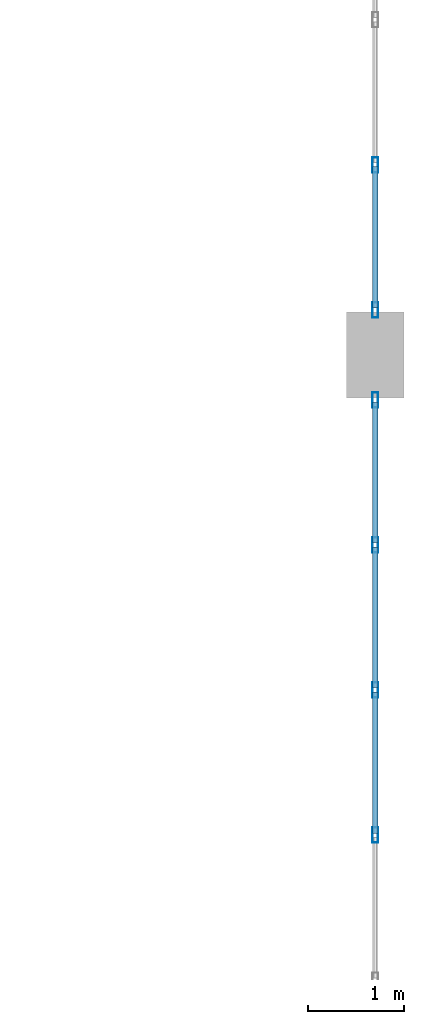
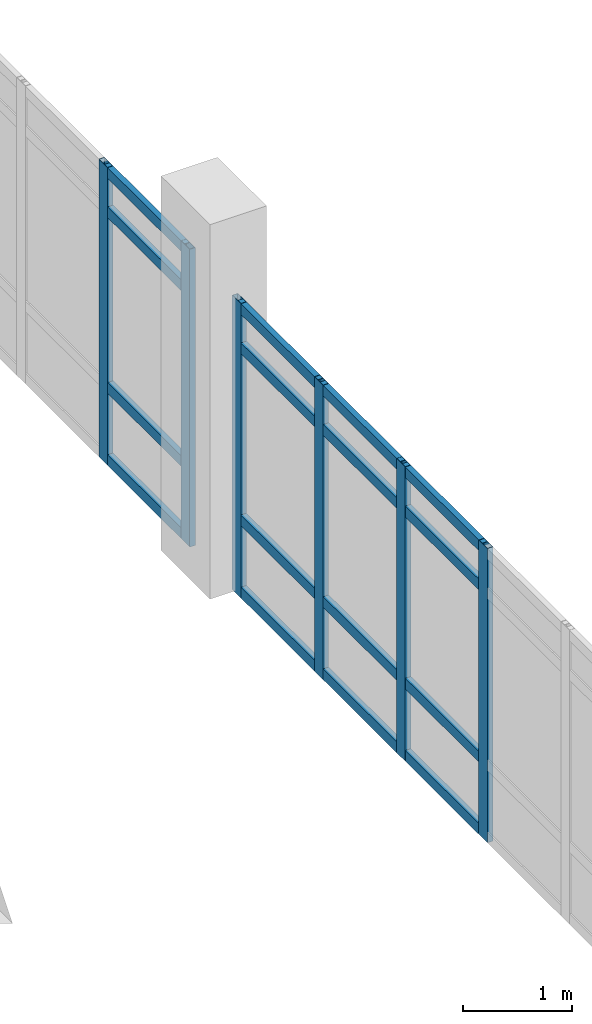
# One storey, part 75 of 111: 22 members, 2 elements without a shape of their own.
"""IFC4 building model written with IfcOpenShell, lengths in metres."""

from ifc_helpers import new_model, si_unit, direction, frame, origin, origin_2d, place, context, subcontext, project, spatial, hollow_rectangle, extrude, material, layer, layer_set, material_profile, profile_set, type_object, element, aggregate, save


model = new_model("IFC4")

# Units and contexts
model_context = context("Model", 3, precision=1e-05, world=origin(), true_north=direction((0.0, 1.0)))
body_context = subcontext(model_context, "Body", "Model", "MODEL_VIEW")
ifc_project = project(units=[si_unit("LENGTHUNIT", "METRE"), si_unit("AREAUNIT", "SQUARE_METRE"), si_unit("VOLUMEUNIT", "CUBIC_METRE"), si_unit("PLANEANGLEUNIT", "RADIAN"), si_unit("MASSUNIT", "GRAM", prefix="KILO")], contexts=[model_context])

# Site, building, storey
site_placement = place(None, origin())
site = spatial("IfcSite", under=ifc_project, at=site_placement, CompositionType="ELEMENT")
building_placement = place(site_placement, origin())
building = spatial("IfcBuilding", under=site, at=building_placement, Name="Mersad Railyard Sports Hall", CompositionType="ELEMENT")
storey_placement = place(building_placement, frame((0.0, 0.0, 9.0)))
storey = spatial("IfcBuildingStorey", under=building, at=storey_placement, Name="L02", CompositionType="ELEMENT", Elevation=9.0)

# Curtain wall, members
ifc_material = material(Name="Aluminium 6063-T6", Category="aluminium")
ifc_layer_1 = layer(ifc_material, 0.159912109375)
ifc_layer_set_1 = layer_set([ifc_layer_1], Name="Aluminium 6063-T6")
curtain_wall_type_1 = type_object("IfcCurtainWallType", Name="ARC-CW-CW17", PredefinedType="USERDEFINED", material=ifc_layer_set_1)
curtain_wall_1_placement = place(storey_placement, origin())
curtain_wall_1 = element("IfcCurtainWall", 1, at=curtain_wall_1_placement, inside=storey, type_object=curtain_wall_type_1, Name="Curtain wall CW17-0049", ObjectType="CURTAIN WALL", PredefinedType="USERDEFINED")
ifc_material_profile_1 = material_profile(ifc_material, hollow_rectangle(XDim=0.06005859375, YDim=0.159912109375, WallThickness=0.00390625, at=origin_2d()), Name="AL MULLION 60x160x4")
ifc_profile_set_1 = profile_set([ifc_material_profile_1], Name="Aluminium 6063-T6")
member_type_1 = type_object("IfcMemberType", Name="ARC-CW-MUL01", PredefinedType="MULLION", material=ifc_profile_set_1)
member_1_placement = place(storey_placement, frame((179.0, 33.030029296875, -0.02001953125), z_axis=(0.0, 0.0, 1.0), x_axis=(1.0, 0.0, 0.0)))
member_1 = element("IfcMember", 2, at=member_1_placement, type_object=member_type_1, Name="CW17 Mullion 1", PredefinedType="MULLION", context=body_context, shape_type="SweptSolid", body=[
    extrude(hollow_rectangle(XDim=0.06005859375, YDim=0.159912109375, WallThickness=0.00390625, at=origin_2d()), origin(), (0.0, 0.0, 1.0), 3.300048828125),
])
member_2_placement = place(storey_placement, frame((179.0, 31.52001953125, -0.02001953125), z_axis=(0.0, 0.0, 1.0), x_axis=(1.0, 0.0, 0.0)))
member_2 = element("IfcMember", 3, at=member_2_placement, type_object=member_type_1, Name="CW17 Mullion 2", PredefinedType="MULLION", context=body_context, shape_type="SweptSolid", body=[
    extrude(hollow_rectangle(XDim=0.06005859375, YDim=0.159912109375, WallThickness=0.00390625, at=origin_2d()), origin(), (0.0, 0.0, 1.0), 3.300048828125),
])
member_3_placement = place(storey_placement, frame((179.0, 30.010009765625, -0.02001953125), z_axis=(0.0, 0.0, 1.0), x_axis=(1.0, 0.0, 0.0)))
member_3 = element("IfcMember", 4, at=member_3_placement, type_object=member_type_1, Name="CW17 Mullion 3", PredefinedType="MULLION", context=body_context, shape_type="SweptSolid", body=[
    extrude(hollow_rectangle(XDim=0.06005859375, YDim=0.159912109375, WallThickness=0.00390625, at=origin_2d()), origin(), (0.0, 0.0, 1.0), 3.300048828125),
])
member_4_placement = place(storey_placement, frame((179.0, 28.5, -0.02001953125), z_axis=(0.0, 0.0, 1.0), x_axis=(1.0, 0.0, 0.0)))
member_4 = element("IfcMember", 5, at=member_4_placement, type_object=member_type_1, Name="CW17 Mullion 4", PredefinedType="MULLION", context=body_context, shape_type="SweptSolid", body=[
    extrude(hollow_rectangle(XDim=0.06005859375, YDim=0.159912109375, WallThickness=0.00390625, at=origin_2d()), origin(), (0.0, 0.0, 1.0), 3.300048828125),
])

ifc_layer_2 = layer(ifc_material, 0.159912109375)
ifc_layer_set_2 = layer_set([ifc_layer_2], Name="Aluminium 6063-T6")
curtain_wall_type_2 = type_object("IfcCurtainWallType", Name="ARC-CW-CW18", PredefinedType="USERDEFINED", material=ifc_layer_set_2)
curtain_wall_2_placement = place(storey_placement, origin())
curtain_wall_2 = element("IfcCurtainWall", 6, at=curtain_wall_2_placement, inside=storey, type_object=curtain_wall_type_2, Name="Curtain wall CW18-0051", ObjectType="CURTAIN WALL", PredefinedType="USERDEFINED")
member_5_placement = place(storey_placement, frame((179.0, 35.47998046875, -0.02001953125), z_axis=(0.0, 0.0, 1.0), x_axis=(1.0, 0.0, 0.0)))
member_5 = element("IfcMember", 7, at=member_5_placement, type_object=member_type_1, Name="CW18 Mullion 6", PredefinedType="MULLION", context=body_context, shape_type="SweptSolid", body=[
    extrude(hollow_rectangle(XDim=0.06005859375, YDim=0.159912109375, WallThickness=0.00390625, at=origin_2d()), origin(), (0.0, 0.0, 1.0), 3.340087890625),
])
member_6_placement = place(storey_placement, frame((179.0, 33.969970703125, -0.02001953125), z_axis=(0.0, 0.0, 1.0), x_axis=(1.0, 0.0, 0.0)))
member_6 = element("IfcMember", 8, at=member_6_placement, type_object=member_type_1, Name="CW18 Mullion 7", PredefinedType="MULLION", context=body_context, shape_type="SweptSolid", body=[
    extrude(hollow_rectangle(XDim=0.06005859375, YDim=0.159912109375, WallThickness=0.00390625, at=origin_2d()), origin(), (0.0, 0.0, 1.0), 3.340087890625),
])

# Member
ifc_material_profile_2 = material_profile(ifc_material, hollow_rectangle(XDim=0.06005859375, YDim=0.1201171875, WallThickness=0.00390625, at=origin_2d()), Name="AL TRANSOM 60x120x4")
ifc_profile_set_2 = profile_set([ifc_material_profile_2], Name="Aluminium 6063-T6")
member_type_2 = type_object("IfcMemberType", Name="ARC-CW-TRN01", PredefinedType="USERDEFINED", material=ifc_profile_set_2)
member_7_placement = place(storey_placement, frame((179.0, 33.010009765625, 0.0400390625), z_axis=(0.0, -1.0, 0.0), x_axis=(1.0, 0.0, 0.0)))
member_7 = element("IfcMember", 9, at=member_7_placement, type_object=member_type_2, Name="CW17 Transom 1-1", ObjectType="TRANSOM", PredefinedType="USERDEFINED", context=body_context, shape_type="SweptSolid", body=[
    extrude(hollow_rectangle(XDim=0.06005859375, YDim=0.1201171875, WallThickness=0.00390625, at=origin_2d()), origin(), (0.0, 0.0, 1.0), 1.469970703125),
])

member_8_placement = place(storey_placement, frame((179.0, 31.5, 0.0400390625), z_axis=(0.0, -1.0, 0.0), x_axis=(1.0, 0.0, 0.0)))
member_8 = element("IfcMember", 10, at=member_8_placement, type_object=member_type_2, Name="CW17 Transom 1-2", ObjectType="TRANSOM", PredefinedType="USERDEFINED", context=body_context, shape_type="SweptSolid", body=[
    extrude(hollow_rectangle(XDim=0.06005859375, YDim=0.1201171875, WallThickness=0.00390625, at=origin_2d()), origin(), (0.0, 0.0, 1.0), 1.469970703125),
])

member_9_placement = place(storey_placement, frame((179.0, 29.989990234375, 0.0400390625), z_axis=(0.0, -1.0, 0.0), x_axis=(1.0, 0.0, 0.0)))
member_9 = element("IfcMember", 11, at=member_9_placement, type_object=member_type_2, Name="CW17 Transom 1-3", ObjectType="TRANSOM", PredefinedType="USERDEFINED", context=body_context, shape_type="SweptSolid", body=[
    extrude(hollow_rectangle(XDim=0.06005859375, YDim=0.1201171875, WallThickness=0.00390625, at=origin_2d()), origin(), (0.0, 0.0, 1.0), 1.469970703125),
])

member_10_placement = place(storey_placement, frame((179.0, 33.010009765625, 0.85009765625), z_axis=(0.0, -1.0, 0.0), x_axis=(1.0, 0.0, 0.0)))
member_10 = element("IfcMember", 12, at=member_10_placement, type_object=member_type_2, Name="CW17 Transom 2-1", ObjectType="TRANSOM", PredefinedType="USERDEFINED", context=body_context, shape_type="SweptSolid", body=[
    extrude(hollow_rectangle(XDim=0.06005859375, YDim=0.1201171875, WallThickness=0.00390625, at=origin_2d()), origin(), (0.0, 0.0, 1.0), 1.469970703125),
])

member_11_placement = place(storey_placement, frame((179.0, 31.5, 0.85009765625), z_axis=(0.0, -1.0, 0.0), x_axis=(1.0, 0.0, 0.0)))
member_11 = element("IfcMember", 13, at=member_11_placement, type_object=member_type_2, Name="CW17 Transom 2-2", ObjectType="TRANSOM", PredefinedType="USERDEFINED", context=body_context, shape_type="SweptSolid", body=[
    extrude(hollow_rectangle(XDim=0.06005859375, YDim=0.1201171875, WallThickness=0.00390625, at=origin_2d()), origin(), (0.0, 0.0, 1.0), 1.469970703125),
])

member_12_placement = place(storey_placement, frame((179.0, 29.989990234375, 0.85009765625), z_axis=(0.0, -1.0, 0.0), x_axis=(1.0, 0.0, 0.0)))
member_12 = element("IfcMember", 14, at=member_12_placement, type_object=member_type_2, Name="CW17 Transom 2-3", ObjectType="TRANSOM", PredefinedType="USERDEFINED", context=body_context, shape_type="SweptSolid", body=[
    extrude(hollow_rectangle(XDim=0.06005859375, YDim=0.1201171875, WallThickness=0.00390625, at=origin_2d()), origin(), (0.0, 0.0, 1.0), 1.469970703125),
])

member_13_placement = place(storey_placement, frame((179.0, 33.010009765625, 2.780029296875), z_axis=(0.0, -1.0, 0.0), x_axis=(1.0, 0.0, 0.0)))
member_13 = element("IfcMember", 15, at=member_13_placement, type_object=member_type_2, Name="CW17 Transom 3-1", ObjectType="TRANSOM", PredefinedType="USERDEFINED", context=body_context, shape_type="SweptSolid", body=[
    extrude(hollow_rectangle(XDim=0.06005859375, YDim=0.1201171875, WallThickness=0.00390625, at=origin_2d()), origin(), (0.0, 0.0, 1.0), 1.469970703125),
])

member_14_placement = place(storey_placement, frame((179.0, 31.5, 2.780029296875), z_axis=(0.0, -1.0, 0.0), x_axis=(1.0, 0.0, 0.0)))
member_14 = element("IfcMember", 16, at=member_14_placement, type_object=member_type_2, Name="CW17 Transom 3-2", ObjectType="TRANSOM", PredefinedType="USERDEFINED", context=body_context, shape_type="SweptSolid", body=[
    extrude(hollow_rectangle(XDim=0.06005859375, YDim=0.1201171875, WallThickness=0.00390625, at=origin_2d()), origin(), (0.0, 0.0, 1.0), 1.469970703125),
])

member_15_placement = place(storey_placement, frame((179.0, 29.989990234375, 2.780029296875), z_axis=(0.0, -1.0, 0.0), x_axis=(1.0, 0.0, 0.0)))
member_15 = element("IfcMember", 17, at=member_15_placement, type_object=member_type_2, Name="CW17 Transom 3-3", ObjectType="TRANSOM", PredefinedType="USERDEFINED", context=body_context, shape_type="SweptSolid", body=[
    extrude(hollow_rectangle(XDim=0.06005859375, YDim=0.1201171875, WallThickness=0.00390625, at=origin_2d()), origin(), (0.0, 0.0, 1.0), 1.469970703125),
])

member_16_placement = place(storey_placement, frame((179.0, 33.010009765625, 3.219970703125), z_axis=(0.0, -1.0, 0.0), x_axis=(1.0, 0.0, 0.0)))
member_16 = element("IfcMember", 18, at=member_16_placement, type_object=member_type_2, Name="CW17 Transom 4-1", ObjectType="TRANSOM", PredefinedType="USERDEFINED", context=body_context, shape_type="SweptSolid", body=[
    extrude(hollow_rectangle(XDim=0.06005859375, YDim=0.1201171875, WallThickness=0.00390625, at=origin_2d()), origin(), (0.0, 0.0, 1.0), 1.469970703125),
])

member_17_placement = place(storey_placement, frame((179.0, 31.5, 3.219970703125), z_axis=(0.0, -1.0, 0.0), x_axis=(1.0, 0.0, 0.0)))
member_17 = element("IfcMember", 19, at=member_17_placement, type_object=member_type_2, Name="CW17 Transom 4-2", ObjectType="TRANSOM", PredefinedType="USERDEFINED", context=body_context, shape_type="SweptSolid", body=[
    extrude(hollow_rectangle(XDim=0.06005859375, YDim=0.1201171875, WallThickness=0.00390625, at=origin_2d()), origin(), (0.0, 0.0, 1.0), 1.469970703125),
])

member_18_placement = place(storey_placement, frame((179.0, 29.989990234375, 3.219970703125), z_axis=(0.0, -1.0, 0.0), x_axis=(1.0, 0.0, 0.0)))
member_18 = element("IfcMember", 20, at=member_18_placement, type_object=member_type_2, Name="CW17 Transom 4-3", ObjectType="TRANSOM", PredefinedType="USERDEFINED", context=body_context, shape_type="SweptSolid", body=[
    extrude(hollow_rectangle(XDim=0.06005859375, YDim=0.1201171875, WallThickness=0.00390625, at=origin_2d()), origin(), (0.0, 0.0, 1.0), 1.469970703125),
])

aggregate(curtain_wall_1, [member_1, member_2, member_3, member_4, member_7, member_8, member_9, member_10, member_11, member_12, member_13, member_14, member_15, member_16, member_17, member_18])

member_19_placement = place(storey_placement, frame((179.0, 35.4599609375, 0.0400390625), z_axis=(0.0, -1.0, 0.0), x_axis=(1.0, 0.0, 0.0)))
member_19 = element("IfcMember", 21, at=member_19_placement, type_object=member_type_2, Name="CW18 Transom 1-6", ObjectType="TRANSOM", PredefinedType="USERDEFINED", context=body_context, shape_type="SweptSolid", body=[
    extrude(hollow_rectangle(XDim=0.06005859375, YDim=0.1201171875, WallThickness=0.00390625, at=origin_2d()), origin(), (0.0, 0.0, 1.0), 1.469970703125),
])

member_20_placement = place(storey_placement, frame((179.0, 35.4599609375, 0.85009765625), z_axis=(0.0, -1.0, 0.0), x_axis=(1.0, 0.0, 0.0)))
member_20 = element("IfcMember", 22, at=member_20_placement, type_object=member_type_2, Name="CW18 Transom 2-6", ObjectType="TRANSOM", PredefinedType="USERDEFINED", context=body_context, shape_type="SweptSolid", body=[
    extrude(hollow_rectangle(XDim=0.06005859375, YDim=0.1201171875, WallThickness=0.00390625, at=origin_2d()), origin(), (0.0, 0.0, 1.0), 1.469970703125),
])

member_21_placement = place(storey_placement, frame((179.0, 35.4599609375, 2.820068359375), z_axis=(0.0, -1.0, 0.0), x_axis=(1.0, 0.0, 0.0)))
member_21 = element("IfcMember", 23, at=member_21_placement, type_object=member_type_2, Name="CW18 Transom 3-6", ObjectType="TRANSOM", PredefinedType="USERDEFINED", context=body_context, shape_type="SweptSolid", body=[
    extrude(hollow_rectangle(XDim=0.06005859375, YDim=0.1201171875, WallThickness=0.00390625, at=origin_2d()), origin(), (0.0, 0.0, 1.0), 1.469970703125),
])

member_22_placement = place(storey_placement, frame((179.0, 35.4599609375, 3.260009765625), z_axis=(0.0, -1.0, 0.0), x_axis=(1.0, 0.0, 0.0)))
member_22 = element("IfcMember", 24, at=member_22_placement, type_object=member_type_2, Name="CW18 Transom 4-6", ObjectType="TRANSOM", PredefinedType="USERDEFINED", context=body_context, shape_type="SweptSolid", body=[
    extrude(hollow_rectangle(XDim=0.06005859375, YDim=0.1201171875, WallThickness=0.00390625, at=origin_2d()), origin(), (0.0, 0.0, 1.0), 1.469970703125),
])

aggregate(curtain_wall_2, [member_5, member_6, member_19, member_20, member_21, member_22])

save(model, "model.ifc")
